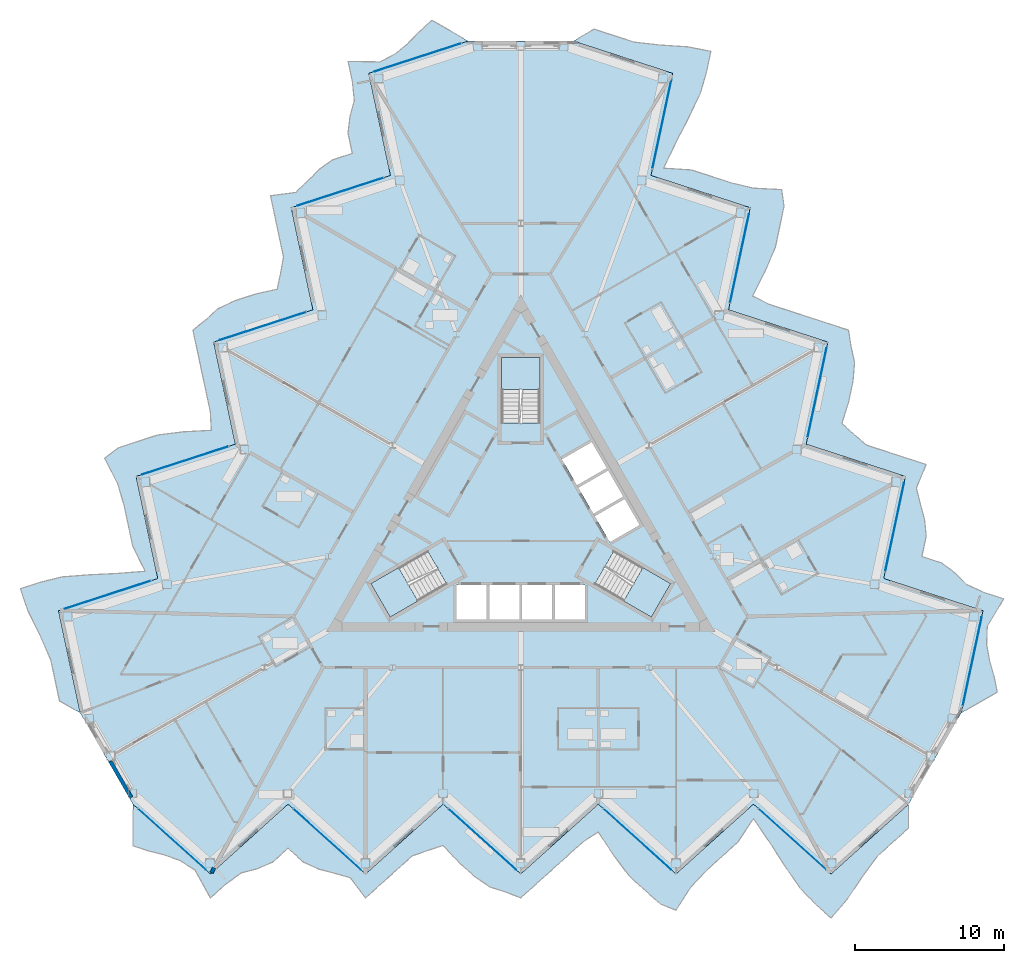
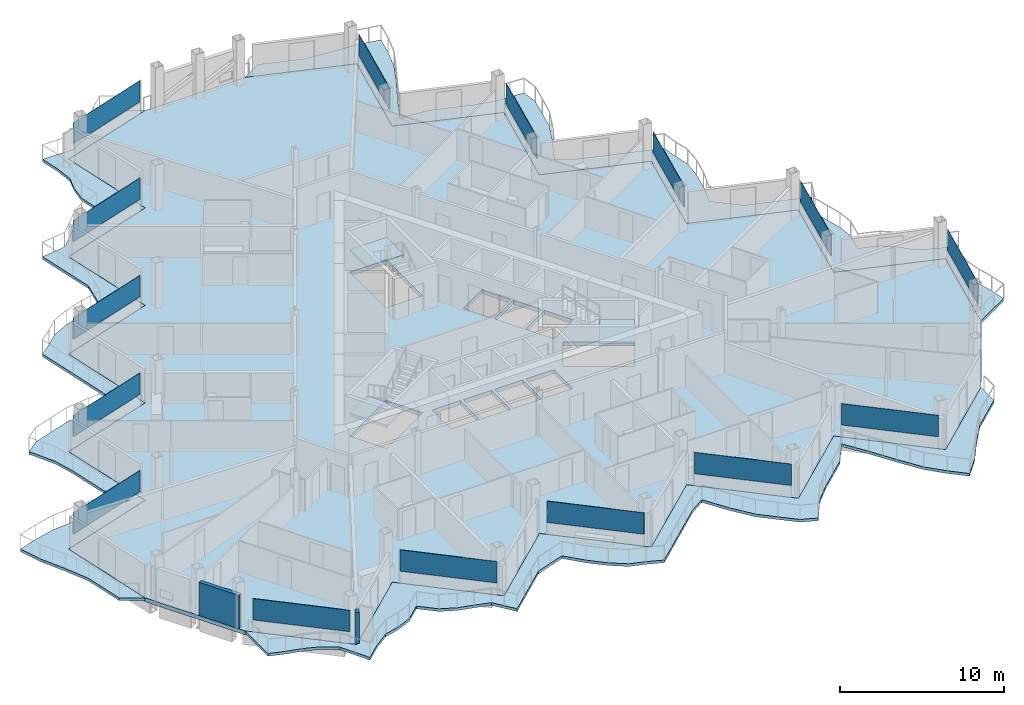
# One storey, part 12 of 28: 15 plates, 7 slabs, 2 walls, 18 elements without a shape of their own.
"""IFC4 building model written with IfcOpenShell, lengths in metres."""

from ifc_helpers import new_model, si_unit, direction, frame, frame_2d, origin, origin_2d, place, context, subcontext, project, spatial, polyline, rectangle, outline, extrude, material, layer, layer_set, type_object, element, aggregate, save


model = new_model("IFC4")

# Units and contexts
model_context = context("Model", 3, precision=1e-05, world=origin(), true_north=direction((0.0, 1.0)))
body_context = subcontext(model_context, "Body", "Model", "MODEL_VIEW")
ifc_project = project(units=[si_unit("LENGTHUNIT", "METRE"), si_unit("AREAUNIT", "SQUARE_METRE"), si_unit("VOLUMEUNIT", "CUBIC_METRE"), si_unit("PLANEANGLEUNIT", "RADIAN"), si_unit("MASSUNIT", "GRAM", prefix="KILO")], contexts=[model_context])

# Site, building, storey
site_placement = place(None, origin())
site = spatial("IfcSite", under=ifc_project, at=site_placement, CompositionType="ELEMENT")
building_placement = place(site_placement, origin())
building = spatial("IfcBuilding", under=site, at=building_placement, Name="Cormorant Prow Tower", CompositionType="ELEMENT")
storey_placement = place(building_placement, frame((0.0, 0.0, 301.800048828125)))
storey = spatial("IfcBuildingStorey", under=building, at=storey_placement, Name="L65", CompositionType="ELEMENT", Elevation=301.800048828125)

# Slabs
ifc_material_1 = material(Name="Concrete C40/50", Category="concrete")
ifc_layer_1 = layer(ifc_material_1, 0.199951171875)
ifc_layer_set_1 = layer_set([ifc_layer_1], Name="Concrete C40/50")
slab_type_1 = type_object("IfcSlabType", Name="Balcony slab 200", PredefinedType="FLOOR", material=ifc_layer_set_1)
slab_1_placement = place(storey_placement, frame((0.0, 0.0, -0.199951171875)))
element("IfcSlab", 1, at=slab_1_placement, inside=storey, type_object=slab_type_1, Name="Balcony slab S L65", PredefinedType="FLOOR", context=body_context, shape_type="SweptSolid", body=[
    extrude(outline(polyline([(-25.95458984375, -19.054931640625), (-25.95458984375, -21.8388671875), (-24.91650390625, -22.182861328125), (-23.87841796875, -22.441162109375), (-22.840087890625, -22.811767578125), (-21.802001953125, -23.46044921875), (-20.763671875, -25.328857421875), (-19.7255859375, -24.39404296875), (-18.6875, -23.651123046875), (-17.649169921875, -23.381591796875), (-16.611083984375, -22.939697265625), (-15.57275390625, -22.0048828125), (-14.53466796875, -22.939697265625), (-13.496337890625, -23.40771484375), (-12.458251953125, -23.68017578125), (-11.420166015625, -23.97607421875), (-10.3818359375, -25.328857421875), (-9.34375, -24.39404296875), (-8.305419921875, -23.459228515625), (-7.267333984375, -22.5244140625), (-6.229248046875, -22.154541015625), (-5.19091796875, -21.81787109375), (-4.15283203125, -22.939697265625), (-3.114501953125, -23.87451171875), (-2.076416015625, -24.596435546875), (-1.0380859375, -24.92431640625), (0.0, -25.328857421875), (1.0380859375, -24.39404296875), (2.076416015625, -23.459228515625), (3.114501953125, -22.5244140625), (4.15283203125, -21.58984375), (5.19091796875, -20.9111328125), (6.229248046875, -22.503662109375), (7.267333984375, -23.87451171875), (8.305419921875, -24.809326171875), (9.34375, -25.73388671875), (10.3818359375, -26.154052734375), (11.420166015625, -24.55078125), (12.458251953125, -23.459228515625), (13.496337890625, -22.5244140625), (14.53466796875, -21.58984375), (15.57275390625, -20.03076171875), (16.611083984375, -21.5400390625), (17.649169921875, -23.15185546875), (18.6875, -24.667724609375), (19.7255859375, -25.744140625), (20.763671875, -26.678955078125), (21.802001953125, -25.482177734375), (22.840087890625, -23.92578125), (23.87841796875, -22.5244140625), (24.91650390625, -21.58984375), (25.95458984375, -20.655029296875), (25.95458984375, -19.054931640625), (24.91650390625, -19.98974609375), (23.87841796875, -20.924560546875), (22.840087890625, -21.859375), (21.802001953125, -22.794189453125), (20.763671875, -23.72900390625), (19.7255859375, -22.794189453125), (18.6875, -21.859375), (17.649169921875, -20.924560546875), (16.611083984375, -19.98974609375), (15.57275390625, -19.054931640625), (14.53466796875, -19.98974609375), (13.496337890625, -20.924560546875), (12.458251953125, -21.859375), (11.420166015625, -22.794189453125), (10.3818359375, -23.72900390625), (9.34375, -22.794189453125), (8.305419921875, -21.859375), (7.267333984375, -20.924560546875), (6.229248046875, -19.98974609375), (5.19091796875, -19.054931640625), (4.15283203125, -19.98974609375), (3.114501953125, -20.924560546875), (2.076416015625, -21.859375), (1.0380859375, -22.794189453125), (0.0, -23.72900390625), (-1.0380859375, -22.794189453125), (-2.076416015625, -21.859375), (-3.114501953125, -20.924560546875), (-4.15283203125, -19.98974609375), (-5.19091796875, -19.054931640625), (-6.229248046875, -19.98974609375), (-7.267333984375, -20.924560546875), (-8.305419921875, -21.859375), (-9.34375, -22.794189453125), (-10.3818359375, -23.72900390625), (-11.420166015625, -22.794189453125), (-12.458251953125, -21.859375), (-13.496337890625, -20.924560546875), (-14.53466796875, -19.98974609375), (-15.57275390625, -19.054931640625), (-16.611083984375, -19.98974609375), (-17.649169921875, -20.924560546875), (-18.6875, -21.859375), (-19.7255859375, -22.794189453125), (-20.763671875, -23.72900390625), (-21.802001953125, -22.794189453125), (-22.840087890625, -21.859375), (-23.87841796875, -20.924560546875), (-24.91650390625, -19.98974609375), (-25.95458984375, -19.054931640625)])), origin(), (0.0, 0.0, 1.0), 0.199951171875),
])
slab_2_placement = place(storey_placement, frame((0.0, 0.0, -0.199951171875)))
element("IfcSlab", 2, at=slab_2_placement, inside=storey, type_object=slab_type_1, Name="Balcony slab ENE L65", PredefinedType="FLOOR", context=body_context, shape_type="SweptSolid", body=[
    extrude(outline(polyline([(29.4794921875, -12.949951171875), (31.890380859375, -11.55810546875), (31.669189453125, -10.48681640625), (31.373779296875, -9.458740234375), (31.175537109375, -8.374267578125), (31.21826171875, -7.15087890625), (32.3173828125, -5.3173828125), (30.98876953125, -4.8857421875), (29.826171875, -4.358154296875), (29.07373046875, -3.59375), (28.171875, -2.915771484375), (26.84326171875, -2.48388671875), (27.1337890625, -1.117431640625), (27.019775390625, 0.015625), (26.73681640625, 1.051025390625), (26.473876953125, 2.097900390625), (27.12646484375, 3.673583984375), (25.7978515625, 4.105224609375), (24.46923828125, 4.536865234375), (23.140380859375, 4.968505859375), (22.30078125, 5.6826171875), (21.490234375, 6.41357421875), (21.94287109375, 7.87353515625), (22.233154296875, 9.239990234375), (22.33935546875, 10.5), (22.10400390625, 11.56298828125), (21.935546875, 12.66455078125), (20.60693359375, 13.09619140625), (19.278076171875, 13.52783203125), (17.949462890625, 13.95947265625), (16.620849609375, 14.391357421875), (15.51416015625, 14.950927734375), (16.374267578125, 16.646484375), (17.042236328125, 18.23095703125), (17.332763671875, 19.597412109375), (17.6142578125, 20.958740234375), (17.459228515625, 22.068115234375), (15.551513671875, 22.16552734375), (14.087158203125, 22.518798828125), (12.758544921875, 22.950439453125), (11.429931640625, 23.38232421875), (9.560546875, 23.501708984375), (10.3486328125, 25.155517578125), (11.2255859375, 26.860595703125), (12.019287109375, 28.517578125), (12.432373046875, 29.954833984375), (12.72265625, 31.3212890625), (11.167236328125, 31.6220703125), (9.30029296875, 31.742919921875), (7.567626953125, 31.94140625), (6.239013671875, 32.373291015625), (4.910400390625, 32.804931640625), (3.524658203125, 32.0048828125), (4.853271484375, 31.5732421875), (6.18212890625, 31.1416015625), (7.5107421875, 30.709716796875), (8.83935546875, 30.278076171875), (10.16796875, 29.846435546875), (9.87744140625, 28.47998046875), (9.5869140625, 27.113525390625), (9.296630859375, 25.746826171875), (9.006103515625, 24.38037109375), (8.715576171875, 23.013916015625), (10.044189453125, 22.582275390625), (11.373046875, 22.150634765625), (12.70166015625, 21.71875), (14.0302734375, 21.287109375), (15.35888671875, 20.85546875), (15.068359375, 19.489013671875), (14.778076171875, 18.12255859375), (14.487548828125, 16.755859375), (14.197021484375, 15.389404296875), (13.906494140625, 14.02294921875), (15.2353515625, 13.59130859375), (16.56396484375, 13.15966796875), (17.892578125, 12.727783203125), (19.22119140625, 12.296142578125), (20.5498046875, 11.864501953125), (20.25927734375, 10.498046875), (19.968994140625, 9.13134765625), (19.678466796875, 7.764892578125), (19.387939453125, 6.3984375), (19.09765625, 5.031982421875), (20.42626953125, 4.600341796875), (21.7548828125, 4.168701171875), (23.08349609375, 3.73681640625), (24.412109375, 3.30517578125), (25.74072265625, 2.87353515625), (25.4501953125, 1.507080078125), (25.159912109375, 0.140380859375), (24.869384765625, -1.22607421875), (24.578857421875, -2.592529296875), (24.28857421875, -3.958984375), (25.6171875, -4.390625), (26.94580078125, -4.822509765625), (28.2744140625, -5.254150390625), (29.60302734375, -5.685791015625), (30.931640625, -6.117431640625), (30.641357421875, -7.48388671875), (30.350830078125, -8.8505859375), (30.060302734375, -10.217041015625), (29.769775390625, -11.58349609375), (29.4794921875, -12.949951171875)])), origin(), (0.0, 0.0, 1.0), 0.199951171875),
])
slab_3_placement = place(storey_placement, frame((0.0, 0.0, -0.199951171875)))
element("IfcSlab", 3, at=slab_3_placement, inside=storey, type_object=slab_type_1, Name="Balcony slab WNW L65", PredefinedType="FLOOR", context=body_context, shape_type="SweptSolid", body=[
    extrude(outline(polyline([(-3.524658203125, 32.0048828125), (-5.935546875, 33.39697265625), (-6.752685546875, 32.669921875), (-7.495361328125, 31.899658203125), (-8.33544921875, 31.18603515625), (-9.416259765625, 30.611328125), (-11.553466796875, 30.646484375), (-11.26318359375, 29.27978515625), (-11.138671875, 28.00927734375), (-11.42431640625, 26.975341796875), (-11.560791015625, 25.85546875), (-11.2705078125, 24.489013671875), (-12.59912109375, 24.05712890625), (-13.5234375, 23.39208984375), (-14.278564453125, 22.62939453125), (-15.0537109375, 21.878173828125), (-16.74462890625, 21.655517578125), (-16.4541015625, 20.288818359375), (-16.16357421875, 18.92236328125), (-15.873046875, 17.555908203125), (-16.07177734375, 16.471923828125), (-16.29931640625, 15.404541015625), (-17.7900390625, 15.066162109375), (-19.11865234375, 14.634521484375), (-20.262939453125, 14.096435546875), (-21.06591796875, 13.361328125), (-21.935546875, 12.66455078125), (-21.64501953125, 11.2978515625), (-21.3544921875, 9.931396484375), (-21.064208984375, 8.56494140625), (-20.773681640625, 7.198486328125), (-20.705078125, 5.9599609375), (-22.603515625, 5.857421875), (-24.3095703125, 5.6435546875), (-25.63818359375, 5.2119140625), (-26.9580078125, 4.775146484375), (-27.841064453125, 4.086181640625), (-26.9716796875, 2.38525390625), (-26.54541015625, 0.9404296875), (-26.255126953125, -0.426025390625), (-25.964599609375, -1.79248046875), (-25.133544921875, -3.47119140625), (-26.959716796875, -3.615478515625), (-28.874755859375, -3.708740234375), (-30.70654296875, -3.849853515625), (-32.157958984375, -4.210693359375), (-33.486572265625, -4.642578125), (-32.96923828125, -6.139892578125), (-32.140380859375, -7.8173828125), (-31.446044921875, -9.4169921875), (-31.155517578125, -10.783447265625), (-30.864990234375, -12.14990234375), (-29.4794921875, -12.949951171875), (-29.769775390625, -11.58349609375), (-30.060302734375, -10.217041015625), (-30.350830078125, -8.8505859375), (-30.641357421875, -7.48388671875), (-30.931640625, -6.117431640625), (-29.60302734375, -5.685791015625), (-28.2744140625, -5.254150390625), (-26.94580078125, -4.822509765625), (-25.6171875, -4.390625), (-24.28857421875, -3.958984375), (-24.578857421875, -2.592529296875), (-24.869384765625, -1.22607421875), (-25.159912109375, 0.140380859375), (-25.4501953125, 1.507080078125), (-25.74072265625, 2.87353515625), (-24.412109375, 3.30517578125), (-23.08349609375, 3.73681640625), (-21.7548828125, 4.168701171875), (-20.42626953125, 4.600341796875), (-19.09765625, 5.031982421875), (-19.387939453125, 6.3984375), (-19.678466796875, 7.764892578125), (-19.968994140625, 9.13134765625), (-20.25927734375, 10.498046875), (-20.5498046875, 11.864501953125), (-19.22119140625, 12.296142578125), (-17.892578125, 12.727783203125), (-16.56396484375, 13.15966796875), (-15.2353515625, 13.59130859375), (-13.906494140625, 14.02294921875), (-14.197021484375, 15.389404296875), (-14.487548828125, 16.755859375), (-14.778076171875, 18.12255859375), (-15.068359375, 19.489013671875), (-15.35888671875, 20.85546875), (-14.0302734375, 21.287109375), (-12.70166015625, 21.71875), (-11.373046875, 22.150634765625), (-10.044189453125, 22.582275390625), (-8.715576171875, 23.013916015625), (-9.006103515625, 24.38037109375), (-9.296630859375, 25.746826171875), (-9.5869140625, 27.113525390625), (-9.87744140625, 28.47998046875), (-10.16796875, 29.846435546875), (-8.83935546875, 30.278076171875), (-7.5107421875, 30.709716796875), (-6.18212890625, 31.1416015625), (-4.853271484375, 31.5732421875), (-3.524658203125, 32.0048828125)])), origin(), (0.0, 0.0, 1.0), 0.199951171875),
])
ifc_material_2 = material(Name="Concrete C40/50", Category="concrete")
ifc_layer_2 = layer(ifc_material_2, 0.300048828125)
ifc_layer_set_2 = layer_set([ifc_layer_2], Name="Concrete C40/50")
slab_type_2 = type_object("IfcSlabType", Name="Post-tensioned flat slab 300", PredefinedType="FLOOR", material=ifc_layer_set_2)
slab_4_placement = place(storey_placement, frame((0.0, 0.0, -0.300048828125)))
element("IfcSlab", 4, at=slab_4_placement, inside=storey, type_object=slab_type_2, Name="Floor slab L65", PredefinedType="FLOOR", context=body_context, shape_type="SweptSolid", body=[
    extrude(outline(polyline([(-8.715576171875, 23.013916015625), (-15.35888671875, 20.85546875), (-13.906494140625, 14.02294921875), (-20.5498046875, 11.864501953125), (-19.09765625, 5.031982421875), (-25.74072265625, 2.87353515625), (-24.28857421875, -3.958984375), (-30.931640625, -6.117431640625), (-29.4794921875, -12.949951171875), (-27.717041015625, -16.00244140625), (-25.95458984375, -19.054931640625), (-20.763671875, -23.72900390625), (-15.57275390625, -19.054931640625), (-10.3818359375, -23.72900390625), (-5.19091796875, -19.054931640625), (0.0, -23.72900390625), (5.19091796875, -19.054931640625), (10.3818359375, -23.72900390625), (15.57275390625, -19.054931640625), (20.763671875, -23.72900390625), (25.95458984375, -19.054931640625), (27.717041015625, -16.00244140625), (29.4794921875, -12.949951171875), (30.931640625, -6.117431640625), (24.28857421875, -3.958984375), (25.74072265625, 2.87353515625), (19.09765625, 5.031982421875), (20.5498046875, 11.864501953125), (13.906494140625, 14.02294921875), (15.35888671875, 20.85546875), (8.715576171875, 23.013916015625), (10.16796875, 29.846435546875), (3.524658203125, 32.0048828125), (0.0, 32.0048828125), (-3.524658203125, 32.0048828125), (-10.16796875, 29.846435546875), (-8.715576171875, 23.013916015625)]), holes=[polyline([(-4.300048828125, -4.39990234375), (-2.300048828125, -4.39990234375), (-2.300048828125, -6.699951171875), (-4.300048828125, -6.699951171875), (-4.300048828125, -4.39990234375)]), polyline([(-0.10009765625, -4.39990234375), (-0.10009765625, -6.699951171875), (-2.10009765625, -6.699951171875), (-2.10009765625, -4.39990234375), (-0.10009765625, -4.39990234375)]), polyline([(2.10009765625, -6.699951171875), (0.10009765625, -6.699951171875), (0.10009765625, -4.39990234375), (2.10009765625, -4.39990234375), (2.10009765625, -6.699951171875)]), polyline([(2.300048828125, -6.699951171875), (2.300048828125, -4.39990234375), (4.300048828125, -4.39990234375), (4.300048828125, -6.699951171875), (2.300048828125, -6.699951171875)]), polyline([(5.96044921875, -1.52392578125), (4.96044921875, 0.2080078125), (6.952392578125, 1.358154296875), (7.952392578125, -0.373779296875), (5.96044921875, -1.52392578125)]), polyline([(3.860595703125, 2.11328125), (5.852294921875, 3.263427734375), (6.852294921875, 1.53125), (4.860595703125, 0.38134765625), (3.860595703125, 2.11328125)]), polyline([(4.75244140625, 5.168701171875), (5.75244140625, 3.4365234375), (3.760498046875, 2.28662109375), (2.760498046875, 4.018798828125), (4.75244140625, 5.168701171875)]), polyline([(-4.947509765625, -4.3505859375), (-8.738037109375, -6.5390625), (-10.031982421875, -4.2978515625), (-6.241455078125, -2.109375), (-4.947509765625, -4.3505859375)]), polyline([(10.031982421875, -4.2978515625), (8.738037109375, -6.5390625), (4.947509765625, -4.3505859375), (6.241455078125, -2.109375), (10.031982421875, -4.2978515625)]), polyline([(1.2939453125, 10.8369140625), (1.2939453125, 6.459716796875), (-1.2939453125, 6.459716796875), (-1.2939453125, 10.8369140625), (1.2939453125, 10.8369140625)])]), origin(), (0.0, 0.0, 1.0), 0.300048828125),
])

# Curtain wall, plate
ifc_material_3 = material(Name="Aluminium 6063-T6", Category="aluminium")
ifc_layer_3 = layer(ifc_material_3, 0.159912109375)
ifc_layer_set_3 = layer_set([ifc_layer_3], Name="Aluminium 6063-T6")
curtain_wall_type = type_object("IfcCurtainWallType", Name="Residential unitised curtain wall 160", PredefinedType="NOTDEFINED", material=ifc_layer_set_3)
curtain_wall_1_placement = place(storey_placement, origin())
curtain_wall_1 = element("IfcCurtainWall", 5, at=curtain_wall_1_placement, inside=storey, type_object=curtain_wall_type, Name="Residential curtain wall S00", PredefinedType="NOTDEFINED")
ifc_material_4 = material(Name="Clear glass", Category="glass")
ifc_layer_4 = layer(ifc_material_4, 0.02392578125)
ifc_layer_set_4 = layer_set([ifc_layer_4], Name="Clear glass")
plate_type = type_object("IfcPlateType", Name="Residential glass panel 24", PredefinedType="CURTAIN_PANEL", material=ifc_layer_set_4)
plate_1_placement = place(storey_placement, frame((-23.340576171875, -21.40869140625, 0.89990234375), z_axis=(0.0, 0.0, 1.0), x_axis=(0.743144844712, -0.669130584997, 0.0)))
plate_1 = element("IfcPlate", 6, at=plate_1_placement, type_object=plate_type, Name="Residential glass panel S00", PredefinedType="CURTAIN_PANEL", context=body_context, shape_type="SweptSolid", body=[
    extrude(rectangle(XDim=6.067138671875, YDim=0.02392578125, at=origin_2d()), origin(), (0.0, 0.0, 1.0), 1.587890625),
])
aggregate(curtain_wall_1, [plate_1])

curtain_wall_2_placement = place(storey_placement, origin())
curtain_wall_2 = element("IfcCurtainWall", 7, at=curtain_wall_2_placement, inside=storey, type_object=curtain_wall_type, Name="Residential curtain wall S02", PredefinedType="NOTDEFINED")
plate_2_placement = place(storey_placement, frame((-12.958740234375, -21.40869140625, 0.89990234375), z_axis=(0.0, 0.0, 1.0), x_axis=(0.743144844712, -0.669130584997, 0.0)))
plate_2 = element("IfcPlate", 8, at=plate_2_placement, type_object=plate_type, Name="Residential glass panel S02", PredefinedType="CURTAIN_PANEL", context=body_context, shape_type="SweptSolid", body=[
    extrude(rectangle(XDim=6.067138671875, YDim=0.02392578125, at=origin_2d()), origin(), (0.0, 0.0, 1.0), 1.587890625),
])
aggregate(curtain_wall_2, [plate_2])

curtain_wall_3_placement = place(storey_placement, origin())
curtain_wall_3 = element("IfcCurtainWall", 9, at=curtain_wall_3_placement, inside=storey, type_object=curtain_wall_type, Name="Residential curtain wall S04", PredefinedType="NOTDEFINED")
plate_3_placement = place(storey_placement, frame((-2.576904296875, -21.40869140625, 0.89990234375), z_axis=(0.0, 0.0, 1.0), x_axis=(0.743144844712, -0.669130584997, 0.0)))
plate_3 = element("IfcPlate", 10, at=plate_3_placement, type_object=plate_type, Name="Residential glass panel S04", PredefinedType="CURTAIN_PANEL", context=body_context, shape_type="SweptSolid", body=[
    extrude(rectangle(XDim=6.067138671875, YDim=0.02392578125, at=origin_2d()), origin(), (0.0, 0.0, 1.0), 1.587890625),
])
aggregate(curtain_wall_3, [plate_3])

curtain_wall_4_placement = place(storey_placement, origin())
curtain_wall_4 = element("IfcCurtainWall", 11, at=curtain_wall_4_placement, inside=storey, type_object=curtain_wall_type, Name="Residential curtain wall S06", PredefinedType="NOTDEFINED")
plate_4_placement = place(storey_placement, frame((7.804931640625, -21.40869140625, 0.89990234375), z_axis=(0.0, 0.0, 1.0), x_axis=(0.743144844712, -0.669130584997, 0.0)))
plate_4 = element("IfcPlate", 12, at=plate_4_placement, type_object=plate_type, Name="Residential glass panel S06", PredefinedType="CURTAIN_PANEL", context=body_context, shape_type="SweptSolid", body=[
    extrude(rectangle(XDim=6.067138671875, YDim=0.02392578125, at=origin_2d()), origin(), (0.0, 0.0, 1.0), 1.587890625),
])
aggregate(curtain_wall_4, [plate_4])

curtain_wall_5_placement = place(storey_placement, origin())
curtain_wall_5 = element("IfcCurtainWall", 13, at=curtain_wall_5_placement, inside=storey, type_object=curtain_wall_type, Name="Residential curtain wall S08", PredefinedType="NOTDEFINED")
plate_5_placement = place(storey_placement, frame((18.186767578125, -21.40869140625, 0.89990234375), z_axis=(0.0, 0.0, 1.0), x_axis=(0.743144844712, -0.669130584997, 0.0)))
plate_5 = element("IfcPlate", 14, at=plate_5_placement, type_object=plate_type, Name="Residential glass panel S08", PredefinedType="CURTAIN_PANEL", context=body_context, shape_type="SweptSolid", body=[
    extrude(rectangle(XDim=6.067138671875, YDim=0.02392578125, at=origin_2d()), origin(), (0.0, 0.0, 1.0), 1.587890625),
])
aggregate(curtain_wall_5, [plate_5])

curtain_wall_6_placement = place(storey_placement, origin())
curtain_wall_6 = element("IfcCurtainWall", 15, at=curtain_wall_6_placement, inside=storey, type_object=curtain_wall_type, Name="Residential curtain wall ENE00", PredefinedType="NOTDEFINED")
plate_6_placement = place(storey_placement, frame((30.210693359375, -9.50927734375, 0.89990234375), z_axis=(0.0, 0.0, 1.0), x_axis=(0.207911828776, 0.97814757141, 0.0)))
plate_6 = element("IfcPlate", 16, at=plate_6_placement, type_object=plate_type, Name="Residential glass panel ENE00", PredefinedType="CURTAIN_PANEL", context=body_context, shape_type="SweptSolid", body=[
    extrude(rectangle(XDim=6.067138671875, YDim=0.02392578125, at=origin_2d()), origin(), (0.0, 0.0, 1.0), 1.587890625),
])
aggregate(curtain_wall_6, [plate_6])

curtain_wall_7_placement = place(storey_placement, origin())
curtain_wall_7 = element("IfcCurtainWall", 17, at=curtain_wall_7_placement, inside=storey, type_object=curtain_wall_type, Name="Residential curtain wall ENE02", PredefinedType="NOTDEFINED")
plate_7_placement = place(storey_placement, frame((25.019775390625, -0.518310546875, 0.89990234375), z_axis=(0.0, 0.0, 1.0), x_axis=(0.207911691808, 0.978147600523, 0.0)))
plate_7 = element("IfcPlate", 18, at=plate_7_placement, type_object=plate_type, Name="Residential glass panel ENE02", PredefinedType="CURTAIN_PANEL", context=body_context, shape_type="SweptSolid", body=[
    extrude(rectangle(XDim=6.067138671875, YDim=0.02392578125, at=origin_2d()), origin(), (0.0, 0.0, 1.0), 1.587890625),
])
aggregate(curtain_wall_7, [plate_7])

curtain_wall_8_placement = place(storey_placement, origin())
curtain_wall_8 = element("IfcCurtainWall", 19, at=curtain_wall_8_placement, inside=storey, type_object=curtain_wall_type, Name="Residential curtain wall ENE04", PredefinedType="NOTDEFINED")
plate_8_placement = place(storey_placement, frame((19.828857421875, 8.47265625, 0.89990234375), z_axis=(0.0, 0.0, 1.0), x_axis=(0.207911691808, 0.978147600523, 0.0)))
plate_8 = element("IfcPlate", 20, at=plate_8_placement, type_object=plate_type, Name="Residential glass panel ENE04", PredefinedType="CURTAIN_PANEL", context=body_context, shape_type="SweptSolid", body=[
    extrude(rectangle(XDim=6.067138671875, YDim=0.02392578125, at=origin_2d()), origin(), (0.0, 0.0, 1.0), 1.587890625),
])
aggregate(curtain_wall_8, [plate_8])

curtain_wall_9_placement = place(storey_placement, origin())
curtain_wall_9 = element("IfcCurtainWall", 21, at=curtain_wall_9_placement, inside=storey, type_object=curtain_wall_type, Name="Residential curtain wall ENE06", PredefinedType="NOTDEFINED")
plate_9_placement = place(storey_placement, frame((14.637939453125, 17.463623046875, 0.89990234375), z_axis=(0.0, 0.0, 1.0), x_axis=(0.207911691808, 0.978147600523, 0.0)))
plate_9 = element("IfcPlate", 22, at=plate_9_placement, type_object=plate_type, Name="Residential glass panel ENE06", PredefinedType="CURTAIN_PANEL", context=body_context, shape_type="SweptSolid", body=[
    extrude(rectangle(XDim=6.067138671875, YDim=0.02392578125, at=origin_2d()), origin(), (0.0, 0.0, 1.0), 1.587890625),
])
aggregate(curtain_wall_9, [plate_9])

curtain_wall_10_placement = place(storey_placement, origin())
curtain_wall_10 = element("IfcCurtainWall", 23, at=curtain_wall_10_placement, inside=storey, type_object=curtain_wall_type, Name="Residential curtain wall ENE08", PredefinedType="NOTDEFINED")
plate_10_placement = place(storey_placement, frame((9.447021484375, 26.45458984375, 0.89990234375), z_axis=(0.0, 0.0, 1.0), x_axis=(0.207911662683, 0.978147606714, 0.0)))
plate_10 = element("IfcPlate", 24, at=plate_10_placement, type_object=plate_type, Name="Residential glass panel ENE08", PredefinedType="CURTAIN_PANEL", context=body_context, shape_type="SweptSolid", body=[
    extrude(rectangle(XDim=6.067138671875, YDim=0.02392578125, at=origin_2d()), origin(), (0.0, 0.0, 1.0), 1.587890625),
])
aggregate(curtain_wall_10, [plate_10])

curtain_wall_11_placement = place(storey_placement, origin())
curtain_wall_11 = element("IfcCurtainWall", 25, at=curtain_wall_11_placement, inside=storey, type_object=curtain_wall_type, Name="Residential curtain wall WNW00", PredefinedType="NOTDEFINED")
plate_11_placement = place(storey_placement, frame((-6.8701171875, 30.91796875, 0.89990234375), z_axis=(0.0, 0.0, 1.0), x_axis=(-0.951056543602, -0.309016910334, 0.0)))
plate_11 = element("IfcPlate", 26, at=plate_11_placement, type_object=plate_type, Name="Residential glass panel WNW00", PredefinedType="CURTAIN_PANEL", context=body_context, shape_type="SweptSolid", body=[
    extrude(rectangle(XDim=6.067138671875, YDim=0.02392578125, at=origin_2d()), origin(), (0.0, 0.0, 1.0), 1.587890625),
])
aggregate(curtain_wall_11, [plate_11])

curtain_wall_12_placement = place(storey_placement, origin())
curtain_wall_12 = element("IfcCurtainWall", 27, at=curtain_wall_12_placement, inside=storey, type_object=curtain_wall_type, Name="Residential curtain wall WNW02", PredefinedType="NOTDEFINED")
plate_12_placement = place(storey_placement, frame((-12.06103515625, 21.927001953125, 0.89990234375), z_axis=(0.0, 0.0, 1.0), x_axis=(-0.951056543602, -0.309016910334, 0.0)))
plate_12 = element("IfcPlate", 28, at=plate_12_placement, type_object=plate_type, Name="Residential glass panel WNW02", PredefinedType="CURTAIN_PANEL", context=body_context, shape_type="SweptSolid", body=[
    extrude(rectangle(XDim=6.067138671875, YDim=0.02392578125, at=origin_2d()), origin(), (0.0, 0.0, 1.0), 1.587890625),
])
aggregate(curtain_wall_12, [plate_12])

curtain_wall_13_placement = place(storey_placement, origin())
curtain_wall_13 = element("IfcCurtainWall", 29, at=curtain_wall_13_placement, inside=storey, type_object=curtain_wall_type, Name="Residential curtain wall WNW04", PredefinedType="NOTDEFINED")
plate_13_placement = place(storey_placement, frame((-17.251953125, 12.93603515625, 0.89990234375), z_axis=(0.0, 0.0, 1.0), x_axis=(-0.951056501528, -0.309017039823, 0.0)))
plate_13 = element("IfcPlate", 30, at=plate_13_placement, type_object=plate_type, Name="Residential glass panel WNW04", PredefinedType="CURTAIN_PANEL", context=body_context, shape_type="SweptSolid", body=[
    extrude(rectangle(XDim=6.067138671875, YDim=0.02392578125, at=origin_2d()), origin(), (0.0, 0.0, 1.0), 1.587890625),
])
aggregate(curtain_wall_13, [plate_13])

curtain_wall_14_placement = place(storey_placement, origin())
curtain_wall_14 = element("IfcCurtainWall", 31, at=curtain_wall_14_placement, inside=storey, type_object=curtain_wall_type, Name="Residential curtain wall WNW06", PredefinedType="NOTDEFINED")
plate_14_placement = place(storey_placement, frame((-22.44287109375, 3.945068359375, 0.89990234375), z_axis=(0.0, 0.0, 1.0), x_axis=(-0.951056501528, -0.309017039823, 0.0)))
plate_14 = element("IfcPlate", 32, at=plate_14_placement, type_object=plate_type, Name="Residential glass panel WNW06", PredefinedType="CURTAIN_PANEL", context=body_context, shape_type="SweptSolid", body=[
    extrude(rectangle(XDim=6.067138671875, YDim=0.02392578125, at=origin_2d()), origin(), (0.0, 0.0, 1.0), 1.587890625),
])
aggregate(curtain_wall_14, [plate_14])

curtain_wall_15_placement = place(storey_placement, origin())
curtain_wall_15 = element("IfcCurtainWall", 33, at=curtain_wall_15_placement, inside=storey, type_object=curtain_wall_type, Name="Residential curtain wall WNW08", PredefinedType="NOTDEFINED")
plate_15_placement = place(storey_placement, frame((-27.6337890625, -5.0458984375, 0.89990234375), z_axis=(0.0, 0.0, 1.0), x_axis=(-0.951056557274, -0.309016868255, 0.0)))
plate_15 = element("IfcPlate", 34, at=plate_15_placement, type_object=plate_type, Name="Residential glass panel WNW08", PredefinedType="CURTAIN_PANEL", context=body_context, shape_type="SweptSolid", body=[
    extrude(rectangle(XDim=6.067138671875, YDim=0.02392578125, at=origin_2d()), origin(), (0.0, 0.0, 1.0), 1.587890625),
])
aggregate(curtain_wall_15, [plate_15])

# Stair, slab
ifc_material_5 = material(Name="Exit stair 18 risers")
stair_type = type_object("IfcStairType", Name="Exit stair 18 risers", PredefinedType="HALF_TURN_STAIR", material=ifc_material_5)
stair_1_placement = place(storey_placement, origin())
stair_1 = element("IfcStair", 35, at=stair_1_placement, inside=storey, type_object=stair_type, Name="L65 Exit stair ST1", PredefinedType="HALF_TURN_STAIR")
ifc_material_6 = material(Name="Concrete 5000 psi", Category="concrete")
ifc_layer_5 = layer(ifc_material_6, 0.199951171875)
ifc_layer_set_5 = layer_set([ifc_layer_5], Name="Concrete 5000 psi")
slab_type_3 = type_object("IfcSlabType", Name="Stair landing 200", PredefinedType="LANDING", material=ifc_layer_set_5)
slab_5_placement = place(storey_placement, frame((0.0, 0.0, 1.5)))
slab_5 = element("IfcSlab", 36, at=slab_5_placement, type_object=slab_type_3, Name="ST1 landing 1", PredefinedType="LANDING", context=body_context, shape_type="SweptSolid", body=[
    extrude(outline(polyline([(-8.17431640625, -3.225341796875), (-10.031982421875, -4.2978515625), (-8.738037109375, -6.5390625), (-6.88037109375, -5.466552734375), (-8.17431640625, -3.225341796875)])), origin(), (0.0, 0.0, 1.0), 0.199951171875),
])
aggregate(stair_1, [slab_5])

stair_2_placement = place(storey_placement, origin())
stair_2 = element("IfcStair", 37, at=stair_2_placement, inside=storey, type_object=stair_type, Name="L65 Exit stair ST2", PredefinedType="HALF_TURN_STAIR")
slab_6_placement = place(storey_placement, frame((0.0, 0.0, 1.5)))
slab_6 = element("IfcSlab", 38, at=slab_6_placement, type_object=slab_type_3, Name="ST2 landing 1", PredefinedType="LANDING", context=body_context, shape_type="SweptSolid", body=[
    extrude(outline(polyline([(6.88037109375, -5.466552734375), (8.738037109375, -6.5390625), (10.031982421875, -4.2978515625), (8.17431640625, -3.225341796875), (6.88037109375, -5.466552734375)])), origin(), (0.0, 0.0, 1.0), 0.199951171875),
])
aggregate(stair_2, [slab_6])

stair_3_placement = place(storey_placement, origin())
stair_3 = element("IfcStair", 39, at=stair_3_placement, inside=storey, type_object=stair_type, Name="L65 Exit stair ST3", PredefinedType="HALF_TURN_STAIR")
slab_7_placement = place(storey_placement, frame((0.0, 0.0, 1.5)))
slab_7 = element("IfcSlab", 40, at=slab_7_placement, type_object=slab_type_3, Name="ST3 landing 1", PredefinedType="LANDING", context=body_context, shape_type="SweptSolid", body=[
    extrude(outline(polyline([(1.2939453125, 8.69189453125), (1.2939453125, 10.8369140625), (-1.2939453125, 10.8369140625), (-1.2939453125, 8.69189453125), (1.2939453125, 8.69189453125)])), origin(), (0.0, 0.0, 1.0), 0.199951171875),
])
aggregate(stair_3, [slab_7])

# Walls
ifc_material_7 = material(Name="Acoustic gypsum party wall")
ifc_layer_6 = layer(ifc_material_7, 0.25)
ifc_layer_set_6 = layer_set([ifc_layer_6], Name="Acoustic gypsum party wall")
wall_type_1 = type_object("IfcWallType", Name="Suite party wall 250", PredefinedType="PARTITIONING", material=ifc_layer_set_6)
wall_1_placement = place(storey_placement, frame((-20.693115234375, -23.648681640625, 0.0), z_axis=(0.0, 0.0, 1.0), x_axis=(0.477077538769, 0.878861207474, 0.0)))
element("IfcWall", 41, at=wall_1_placement, inside=storey, type_object=wall_type_1, Name="Suite party wall", PredefinedType="PARTITIONING", context=body_context, shape_type="SweptSolid", body=[
    extrude(rectangle(XDim=0.376220703125, YDim=0.25, at=frame_2d((0.18798828125, 0.0))), origin(), (0.0, 0.0, 1.0), 2.330078125),
])
ifc_material_8 = material(Name="Terracotta", Category="masonry")
ifc_layer_7 = layer(ifc_material_8, 0.25)
ifc_layer_set_7 = layer_set([ifc_layer_7], Name="Terracotta")
wall_type_2 = type_object("IfcWallType", Name="Terracotta bay wall 250", PredefinedType="SOLIDWALL", material=ifc_layer_set_7)
wall_2_placement = place(storey_placement, frame((-27.465576171875, -16.18798828125, 0.0), z_axis=(0.0, 0.0, 1.0), x_axis=(0.499968627931, -0.866043515699, 0.0)))
element("IfcWall", 42, at=wall_2_placement, inside=storey, type_object=wall_type_2, Name="Terracotta bay wall WSW01", PredefinedType="SOLIDWALL", context=body_context, shape_type="SweptSolid", body=[
    extrude(rectangle(XDim=2.804443359375, YDim=0.25, at=frame_2d((1.40234375, 0.0))), origin(), (0.0, 0.0, 1.0), 2.48779296875),
])

save(model, "model.ifc")
